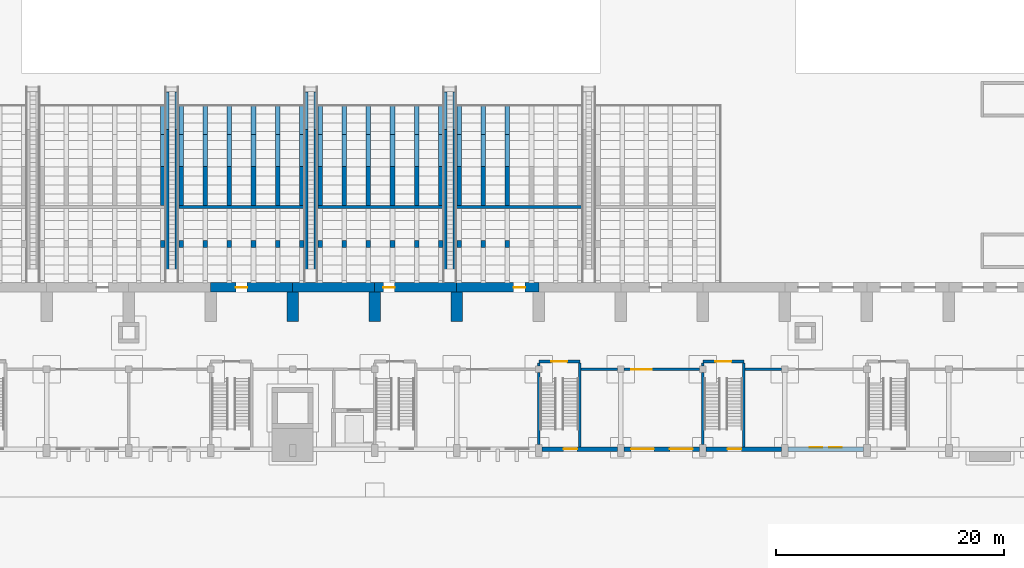
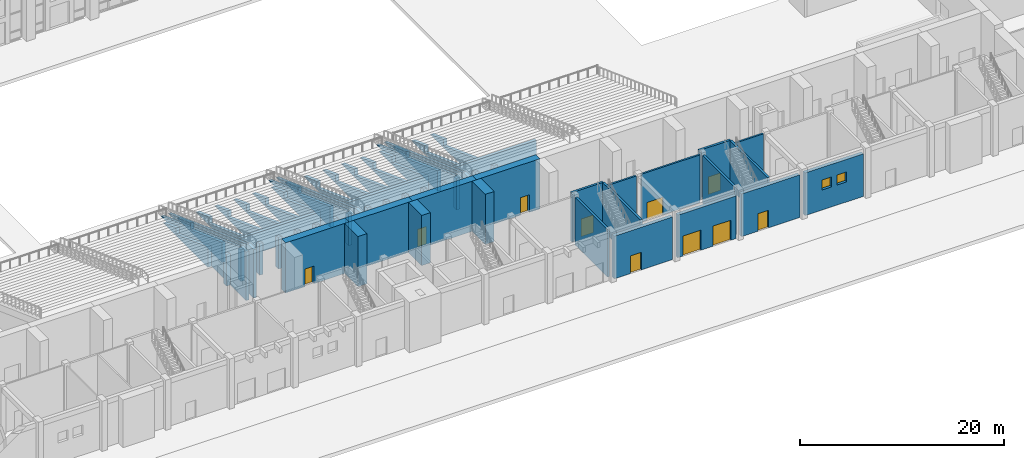
# One storey, part 43 of 70: 63 walls, 10 doors, 2 windows, 12 openings.
"""IFC4 building model written with IfcOpenShell, lengths in metres."""

from ifc_helpers import new_model, si_unit, direction, frame, frame_2d, origin, place, context, subcontext, project, spatial, polyline, rectangle, outline, extrude, material, layer, layer_set, type_object, element, fill, save


model = new_model("IFC4")

# Units and contexts
model_context = context("Model", 3, precision=1e-05, world=origin(), true_north=direction((0.0, 1.0)))
body_context = subcontext(model_context, "Body", "Model", "MODEL_VIEW")
ifc_project = project(units=[si_unit("LENGTHUNIT", "METRE"), si_unit("AREAUNIT", "SQUARE_METRE"), si_unit("VOLUMEUNIT", "CUBIC_METRE"), si_unit("PLANEANGLEUNIT", "RADIAN"), si_unit("MASSUNIT", "GRAM", prefix="KILO")], contexts=[model_context])

# Site, building, storey
site_placement = place(None, origin())
site = spatial("IfcSite", under=ifc_project, at=site_placement, CompositionType="ELEMENT")
building_placement = place(site_placement, origin())
building = spatial("IfcBuilding", under=site, at=building_placement, Name="Vermilion Court Aquatics Centre", CompositionType="ELEMENT")
storey_placement = place(building_placement, origin())
storey = spatial("IfcBuildingStorey", under=building, at=storey_placement, Name="L00", CompositionType="ELEMENT", Elevation=0.0)

# Walls
ifc_material_1 = material(Name="Concrete 5000 psi", Category="concrete")
ifc_layer_1 = layer(ifc_material_1, 1.0)
ifc_layer_set_1 = layer_set([ifc_layer_1], Name="Roof buttress pier")
wall_type_1 = type_object("IfcWallType", Name="Roof buttress pier", PredefinedType="SOLIDWALL", material=ifc_layer_set_1)
for number, where, z_axis, x_axis, name in (
    (1, (72.0, 11.39990234375, 0.0), (0.0, 0.0, 1.0), (0.0, 1.0, 0.0), "Buttress pier BPS09"),
    (2, (79.199951171875, 11.39990234375, 0.0), (0.0, 0.0, 1.0), (0.0, 1.0, 0.0), "Buttress pier BPS10"),
    (3, (86.39990234375, 11.39990234375, 0.0), (0.0, 0.0, 1.0), (0.0, 1.0, 0.0), "Buttress pier BPS11"),
):
    element("IfcWall", number, at=place(storey_placement, frame(where, z_axis=z_axis, x_axis=x_axis)), inside=storey, type_object=wall_type_1, Name=name, PredefinedType="SOLIDWALL", context=body_context, shape_type="SweptSolid", body=[
        extrude(rectangle(XDim=2.60009765625, YDim=1.0, at=frame_2d((1.300048828125, 0.0))), origin(), (0.0, 0.0, 1.0), 6.0),
    ])

# Wall, opening, door
ifc_material_2 = material(Name="Brick masonry", Category="masonry")
ifc_layer_2 = layer(ifc_material_2, 0.39990234375)
ifc_layer_set_2 = layer_set([ifc_layer_2], Name="South brick facade wall 400")
wall_type_2 = type_object("IfcWallType", Name="South brick facade wall 400", PredefinedType="SOLIDWALL", material=ifc_layer_set_2)
wall_1_placement = place(storey_placement, frame((93.89990234375, 0.199951171875, 0.0), z_axis=(0.0, 0.0, 1.0), x_axis=(1.0, 0.0, 0.0)))
wall_1 = element("IfcWall", 4, at=wall_1_placement, inside=storey, type_object=wall_type_2, Name="Brick facade wall", PredefinedType="SOLIDWALL", context=body_context, shape_type="SweptSolid", body=[
    extrude(rectangle(XDim=6.60009765625, YDim=0.39990234375, at=frame_2d((3.300048828125, 0.0))), origin(), (0.0, 0.0, 1.0), 5.10009765625),
])
opening_1_placement = place(wall_1_placement, frame((1.875, 0.0, 0.0)))
opening_1 = element("IfcOpeningElement", 5, at=opening_1_placement, cuts=wall_1, Name="Opening S00-011", PredefinedType="OPENING", context=body_context, shape_type="SweptSolid", body=[
    extrude(rectangle(XDim=1.199951171875, YDim=2.10009765625, at=frame_2d((0.60009765625, 1.050048828125))), frame((0.0, 0.2099609375, 0.0), z_axis=(0.0, -1.0, 0.0), x_axis=(1.0, 0.0, 0.0)), (0.0, 0.0, 1.0), 0.419921875),
])
ifc_material_3 = material(Name="Hollow metal", Category="metal")
door_type_1 = type_object("IfcDoorType", Name="South stair discharge door 1200", OperationType="SINGLE_SWING_LEFT", PredefinedType="DOOR", material=ifc_material_3)
door_1_placement = place(opening_1_placement, frame((1.199951171875, 0.0, 0.0), z_axis=(0.0, 0.0, 1.0), x_axis=(-1.0, 0.0, 0.0)))
door_1 = element("IfcDoor", 6, at=door_1_placement, inside=storey, type_object=door_type_1, Name="Exit stair S5 street door", OperationType="SINGLE_SWING_LEFT", OverallHeight=2.10009765625, OverallWidth=1.199951171875, PredefinedType="DOOR", context=body_context, shape_type="SweptSolid", body=[
    extrude(rectangle(XDim=1.199951171875, YDim=2.10009765625, at=frame_2d((0.599853515625, 1.050048828125))), frame((0.0, 0.025146484375, 0.0), z_axis=(0.0, -1.0, 0.0), x_axis=(1.0, 0.0, 0.0)), (0.0, 0.0, 1.0), 0.050048828125),
])
fill(opening_1, door_1)

# Wall, openings, doors
wall_2_placement = place(storey_placement, frame((101.10009765625, 0.199951171875, 0.0), z_axis=(0.0, 0.0, 1.0), x_axis=(1.0, 0.0, 0.0)))
wall_2 = element("IfcWall", 7, at=wall_2_placement, inside=storey, type_object=wall_type_2, Name="Brick facade wall", PredefinedType="SOLIDWALL", context=body_context, shape_type="SweptSolid", body=[
    extrude(rectangle(XDim=6.599853515625, YDim=0.39990234375, at=frame_2d((3.2998046875, 0.0))), origin(), (0.0, 0.0, 1.0), 5.10009765625),
])
opening_2_placement = place(wall_2_placement, frame((0.60009765625, 0.0, 0.0)))
opening_2 = element("IfcOpeningElement", 8, at=opening_2_placement, cuts=wall_2, Name="Opening S00-005", PredefinedType="OPENING", context=body_context, shape_type="SweptSolid", body=[
    extrude(rectangle(XDim=2.0, YDim=2.39990234375, at=frame_2d((1.0, 1.199951171875))), frame((0.0, 0.2099609375, 0.0), z_axis=(0.0, -1.0, 0.0), x_axis=(1.0, 0.0, 0.0)), (0.0, 0.0, 1.0), 0.419921875),
])
opening_3_placement = place(wall_2_placement, frame((4.0, 0.0, 0.0)))
opening_3 = element("IfcOpeningElement", 9, at=opening_3_placement, cuts=wall_2, Name="Opening S00-006", PredefinedType="OPENING", context=body_context, shape_type="SweptSolid", body=[
    extrude(rectangle(XDim=2.0, YDim=2.39990234375, at=frame_2d((1.0, 1.199951171875))), frame((0.0, 0.2099609375, 0.0), z_axis=(0.0, -1.0, 0.0), x_axis=(1.0, 0.0, 0.0)), (0.0, 0.0, 1.0), 0.419921875),
])
ifc_material_4 = material(Name="Hollow metal", Category="metal")
door_type_2 = type_object("IfcDoorType", Name="South street exit door 2000x2400", OperationType="DOUBLE_DOOR_SINGLE_SWING", PredefinedType="DOOR", material=ifc_material_4)
door_2_placement = place(opening_2_placement, frame((2.0, 0.0, 0.0), z_axis=(0.0, 0.0, 1.0), x_axis=(-1.0, 0.0, 0.0)))
door_2 = element("IfcDoor", 10, at=door_2_placement, inside=storey, type_object=door_type_2, Name="South street exit door", OperationType="DOUBLE_DOOR_SINGLE_SWING", OverallHeight=2.39990234375, OverallWidth=2.0, PredefinedType="DOOR", context=body_context, shape_type="SweptSolid", body=[
    extrude(rectangle(XDim=2.0, YDim=2.39990234375, at=frame_2d((1.0, 1.199951171875))), frame((0.0, 0.025146484375, 0.0), z_axis=(0.0, -1.0, 0.0), x_axis=(1.0, 0.0, 0.0)), (0.0, 0.0, 1.0), 0.050048828125),
])
fill(opening_2, door_2)
door_3_placement = place(opening_3_placement, frame((2.0, 0.0, 0.0), z_axis=(0.0, 0.0, 1.0), x_axis=(-1.0, 0.0, 0.0)))
door_3 = element("IfcDoor", 11, at=door_3_placement, inside=storey, type_object=door_type_2, Name="South street exit door", OperationType="DOUBLE_DOOR_SINGLE_SWING", OverallHeight=2.39990234375, OverallWidth=2.0, PredefinedType="DOOR", context=body_context, shape_type="SweptSolid", body=[
    extrude(rectangle(XDim=2.0, YDim=2.39990234375, at=frame_2d((1.0, 1.199951171875))), frame((0.0, 0.025146484375, 0.0), z_axis=(0.0, -1.0, 0.0), x_axis=(1.0, 0.0, 0.0)), (0.0, 0.0, 1.0), 0.050048828125),
])
fill(opening_3, door_3)

# Wall, opening, door
wall_3_placement = place(storey_placement, frame((108.300048828125, 0.199951171875, 0.0), z_axis=(0.0, 0.0, 1.0), x_axis=(1.0, 0.0, 0.0)))
wall_3 = element("IfcWall", 12, at=wall_3_placement, inside=storey, type_object=wall_type_2, Name="Brick facade wall", PredefinedType="SOLIDWALL", context=body_context, shape_type="SweptSolid", body=[
    extrude(rectangle(XDim=6.599853515625, YDim=0.39990234375, at=frame_2d((3.2998046875, 0.0))), origin(), (0.0, 0.0, 1.0), 5.10009765625),
])
opening_4_placement = place(wall_3_placement, frame((1.875, 0.0, 0.0)))
opening_4 = element("IfcOpeningElement", 13, at=opening_4_placement, cuts=wall_3, Name="Opening S00-012", PredefinedType="OPENING", context=body_context, shape_type="SweptSolid", body=[
    extrude(rectangle(XDim=1.199951171875, YDim=2.10009765625, at=frame_2d((0.60009765625, 1.050048828125))), frame((0.0, 0.2099609375, 0.0), z_axis=(0.0, -1.0, 0.0), x_axis=(1.0, 0.0, 0.0)), (0.0, 0.0, 1.0), 0.419921875),
])
door_4_placement = place(opening_4_placement, frame((1.199951171875, 0.0, 0.0), z_axis=(0.0, 0.0, 1.0), x_axis=(-1.0, 0.0, 0.0)))
door_4 = element("IfcDoor", 14, at=door_4_placement, inside=storey, type_object=door_type_1, Name="Exit stair S6 street door", OperationType="SINGLE_SWING_LEFT", OverallHeight=2.10009765625, OverallWidth=1.199951171875, PredefinedType="DOOR", context=body_context, shape_type="SweptSolid", body=[
    extrude(rectangle(XDim=1.199951171875, YDim=2.10009765625, at=frame_2d((0.599853515625, 1.050048828125))), frame((0.0, 0.025146484375, 0.0), z_axis=(0.0, -1.0, 0.0), x_axis=(1.0, 0.0, 0.0)), (0.0, 0.0, 1.0), 0.050048828125),
])
fill(opening_4, door_4)

# Wall, openings, windows
wall_4_placement = place(storey_placement, frame((115.5, 0.199951171875, 0.0), z_axis=(0.0, 0.0, 1.0), x_axis=(1.0, 0.0, 0.0)))
wall_4 = element("IfcWall", 15, at=wall_4_placement, inside=storey, type_object=wall_type_2, Name="Brick facade wall", PredefinedType="SOLIDWALL", context=body_context, shape_type="SweptSolid", body=[
    extrude(rectangle(XDim=6.60009765625, YDim=0.39990234375, at=frame_2d((3.300048828125, 0.0))), origin(), (0.0, 0.0, 1.0), 5.10009765625),
])
opening_5_placement = place(wall_4_placement, frame((1.89990234375, 0.0, 2.39990234375)))
opening_5 = element("IfcOpeningElement", 16, at=opening_5_placement, cuts=wall_4, Name="Opening SWN1", PredefinedType="OPENING", context=body_context, shape_type="SweptSolid", body=[
    extrude(rectangle(XDim=1.10009765625, YDim=1.199951171875, at=frame_2d((0.550048828125, 0.60009765625))), frame((0.0, 0.2099609375, 0.0), z_axis=(0.0, -1.0, 0.0), x_axis=(1.0, 0.0, 0.0)), (0.0, 0.0, 1.0), 0.419921875),
])
opening_6_placement = place(wall_4_placement, frame((3.60009765625, 0.0, 2.39990234375)))
opening_6 = element("IfcOpeningElement", 17, at=opening_6_placement, cuts=wall_4, Name="Opening SWN1", PredefinedType="OPENING", context=body_context, shape_type="SweptSolid", body=[
    extrude(rectangle(XDim=1.10009765625, YDim=1.199951171875, at=frame_2d((0.550048828125, 0.60009765625))), frame((0.0, 0.2099609375, 0.0), z_axis=(0.0, -1.0, 0.0), x_axis=(1.0, 0.0, 0.0)), (0.0, 0.0, 1.0), 0.419921875),
])
ifc_material_5 = material(Name="Aluminium 6063-T5", Category="aluminium")
window_type = type_object("IfcWindowType", Name="South window 1100x1200", PartitioningType="DOUBLE_PANEL_VERTICAL", PredefinedType="WINDOW", material=ifc_material_5)
window_1_placement = place(opening_5_placement, origin())
window_1 = element("IfcWindow", 18, at=window_1_placement, inside=storey, type_object=window_type, Name="Facade window", OverallHeight=1.199951171875, OverallWidth=1.10009765625, PartitioningType="DOUBLE_PANEL_VERTICAL", PredefinedType="WINDOW", context=body_context, shape_type="SweptSolid", body=[
    extrude(rectangle(XDim=1.10009765625, YDim=1.199951171875, at=frame_2d((0.550048828125, 0.60009765625))), frame((0.0, 0.159912109375, 0.0), z_axis=(0.0, -1.0, 0.0), x_axis=(1.0, 0.0, 0.0)), (0.0, 0.0, 1.0), 0.06005859375),
])
fill(opening_5, window_1)
window_2_placement = place(opening_6_placement, origin())
window_2 = element("IfcWindow", 19, at=window_2_placement, inside=storey, type_object=window_type, Name="Facade window", OverallHeight=1.199951171875, OverallWidth=1.10009765625, PartitioningType="DOUBLE_PANEL_VERTICAL", PredefinedType="WINDOW", context=body_context, shape_type="SweptSolid", body=[
    extrude(rectangle(XDim=1.10009765625, YDim=1.199951171875, at=frame_2d((0.550048828125, 0.60009765625))), frame((0.0, 0.159912109375, 0.0), z_axis=(0.0, -1.0, 0.0), x_axis=(1.0, 0.0, 0.0)), (0.0, 0.0, 1.0), 0.06005859375),
])
fill(opening_6, window_2)

# Wall
ifc_material_6 = material(Name="Concrete masonry ASTM C90 Type I", Category="masonry")
ifc_layer_3 = layer(ifc_material_6, 0.199951171875)
ifc_layer_set_3 = layer_set([ifc_layer_3], Name="South fire-rated partition 200")
wall_type_3 = type_object("IfcWallType", Name="South fire-rated partition 200", PredefinedType="PARTITIONING", material=ifc_layer_set_3)
wall_5_placement = place(storey_placement, frame((97.324951171875, 7.199951171875, 0.0), z_axis=(0.0, 0.0, 1.0), x_axis=(1.0, 0.0, 0.0)))
element("IfcWall", 20, at=wall_5_placement, inside=storey, type_object=wall_type_3, Name="Wall", PredefinedType="PARTITIONING", context=body_context, shape_type="SweptSolid", body=[
    extrude(rectangle(XDim=3.175048828125, YDim=0.199951171875, at=frame_2d((1.58740234375, 0.0))), origin(), (0.0, 0.0, 1.0), 5.699951171875),
])

# Wall, opening, door
wall_6_placement = place(storey_placement, frame((101.10009765625, 7.199951171875, 0.0), z_axis=(0.0, 0.0, 1.0), x_axis=(1.0, 0.0, 0.0)))
wall_6 = element("IfcWall", 21, at=wall_6_placement, inside=storey, type_object=wall_type_3, Name="Wall", PredefinedType="PARTITIONING", context=body_context, shape_type="SweptSolid", body=[
    extrude(rectangle(XDim=6.599853515625, YDim=0.199951171875, at=frame_2d((3.2998046875, 0.0))), origin(), (0.0, 0.0, 1.0), 5.699951171875),
])
opening_7_placement = place(wall_6_placement, frame((0.60009765625, 0.0, 0.0)))
opening_7 = element("IfcOpeningElement", 22, at=opening_7_placement, cuts=wall_6, Name="Opening S00-031", PredefinedType="OPENING", context=body_context, shape_type="SweptSolid", body=[
    extrude(rectangle(XDim=1.800048828125, YDim=2.10009765625, at=frame_2d((0.89990234375, 1.050048828125))), frame((0.0, 0.10986328125, 0.0), z_axis=(0.0, -1.0, 0.0), x_axis=(1.0, 0.0, 0.0)), (0.0, 0.0, 1.0), 0.219970703125),
])
ifc_material_7 = material(Name="Hollow metal", Category="metal")
door_type_3 = type_object("IfcDoorType", Name="South lobby double door 1800", OperationType="DOUBLE_DOOR_SINGLE_SWING", PredefinedType="DOOR", material=ifc_material_7)
door_5_placement = place(opening_7_placement, origin())
door_5 = element("IfcDoor", 23, at=door_5_placement, inside=storey, type_object=door_type_3, Name="Entrance Lobby East door", OperationType="DOUBLE_DOOR_SINGLE_SWING", OverallHeight=2.10009765625, OverallWidth=1.800048828125, PredefinedType="DOOR", context=body_context, shape_type="SweptSolid", body=[
    extrude(rectangle(XDim=1.800048828125, YDim=2.10009765625, at=frame_2d((0.89990234375, 1.050048828125))), frame((0.0, 0.02490234375, 0.0), z_axis=(0.0, -1.0, 0.0), x_axis=(1.0, 0.0, 0.0)), (0.0, 0.0, 1.0), 0.050048828125),
])
fill(opening_7, door_5)

# Walls
ifc_material_8 = material(Name="Concrete masonry ASTM C90 Type I", Category="masonry")
ifc_layer_4 = layer(ifc_material_8, 0.199951171875)
ifc_layer_set_4 = layer_set([ifc_layer_4], Name="South partition wall 200")
wall_type_4 = type_object("IfcWallType", Name="South partition wall 200", PredefinedType="PARTITIONING", material=ifc_layer_set_4)
wall_7_placement = place(storey_placement, frame((111.72509765625, 7.199951171875, 0.0), z_axis=(0.0, 0.0, 1.0), x_axis=(1.0, 0.0, 0.0)))
element("IfcWall", 24, at=wall_7_placement, inside=storey, type_object=wall_type_4, Name="Partition wall", PredefinedType="PARTITIONING", context=body_context, shape_type="SweptSolid", body=[
    extrude(rectangle(XDim=3.1748046875, YDim=0.199951171875, at=frame_2d((1.58740234375, 0.0))), origin(), (0.0, 0.0, 1.0), 5.699951171875),
])
ifc_material_9 = material(Name="Concrete 5000 psi", Category="concrete")
ifc_layer_5 = layer(ifc_material_9, 0.25)
ifc_layer_set_5 = layer_set([ifc_layer_5], Name="South stair wall 250")
wall_type_5 = type_object("IfcWallType", Name="South stair wall 250", PredefinedType="SOLIDWALL", material=ifc_layer_set_5)
wall_8_placement = place(storey_placement, frame((93.60009765625, 0.60009765625, 0.0), z_axis=(0.0, 0.0, 1.0), x_axis=(0.0, 1.0, 0.0)))
element("IfcWall", 25, at=wall_8_placement, inside=storey, type_object=wall_type_5, Name="Stair enclosure wall", PredefinedType="SOLIDWALL", context=body_context, shape_type="SweptSolid", body=[
    extrude(rectangle(XDim=6.2998046875, YDim=0.25, at=frame_2d((3.14990234375, 0.0))), origin(), (0.0, 0.0, 1.0), 5.699951171875),
])
wall_9_placement = place(storey_placement, frame((93.60009765625, 7.5, 0.0), z_axis=(0.0, 0.0, 1.0), x_axis=(0.0, 1.0, 0.0)))
element("IfcWall", 26, at=wall_9_placement, inside=storey, type_object=wall_type_5, Name="Stair enclosure wall", PredefinedType="SOLIDWALL", context=body_context, shape_type="SweptSolid", body=[
    extrude(rectangle(XDim=0.27490234375, YDim=0.25, at=frame_2d((0.137451171875, 0.0))), origin(), (0.0, 0.0, 1.0), 5.699951171875),
])
wall_10_placement = place(storey_placement, frame((97.199951171875, 0.39990234375, 0.0), z_axis=(0.0, 0.0, 1.0), x_axis=(0.0, 1.0, 0.0)))
element("IfcWall", 27, at=wall_10_placement, inside=storey, type_object=wall_type_5, Name="Stair enclosure wall", PredefinedType="SOLIDWALL", context=body_context, shape_type="SweptSolid", body=[
    extrude(rectangle(XDim=7.375, YDim=0.25, at=frame_2d((3.6875, 0.0))), origin(), (0.0, 0.0, 1.0), 5.699951171875),
])
wall_11_placement = place(storey_placement, frame((108.0, 0.60009765625, 0.0), z_axis=(0.0, 0.0, 1.0), x_axis=(0.0, 1.0, 0.0)))
element("IfcWall", 28, at=wall_11_placement, inside=storey, type_object=wall_type_5, Name="Stair enclosure wall", PredefinedType="SOLIDWALL", context=body_context, shape_type="SweptSolid", body=[
    extrude(rectangle(XDim=6.2998046875, YDim=0.25, at=frame_2d((3.14990234375, 0.0))), origin(), (0.0, 0.0, 1.0), 5.699951171875),
])
wall_12_placement = place(storey_placement, frame((108.0, 7.5, 0.0), z_axis=(0.0, 0.0, 1.0), x_axis=(0.0, 1.0, 0.0)))
element("IfcWall", 29, at=wall_12_placement, inside=storey, type_object=wall_type_5, Name="Stair enclosure wall", PredefinedType="SOLIDWALL", context=body_context, shape_type="SweptSolid", body=[
    extrude(rectangle(XDim=0.27490234375, YDim=0.25, at=frame_2d((0.137451171875, 0.0))), origin(), (0.0, 0.0, 1.0), 5.699951171875),
])
wall_13_placement = place(storey_placement, frame((111.60009765625, 0.39990234375, 0.0), z_axis=(0.0, 0.0, 1.0), x_axis=(0.0, 1.0, 0.0)))
element("IfcWall", 30, at=wall_13_placement, inside=storey, type_object=wall_type_5, Name="Stair enclosure wall", PredefinedType="SOLIDWALL", context=body_context, shape_type="SweptSolid", body=[
    extrude(rectangle(XDim=7.375, YDim=0.25, at=frame_2d((3.6875, 0.0))), origin(), (0.0, 0.0, 1.0), 5.699951171875),
])

# Wall, opening, door
wall_14_placement = place(storey_placement, frame((93.60009765625, 7.89990234375, 0.0), z_axis=(0.0, 0.0, 1.0), x_axis=(1.0, 0.0, 0.0)))
wall_14 = element("IfcWall", 31, at=wall_14_placement, inside=storey, type_object=wall_type_5, Name="Stair enclosure wall", PredefinedType="SOLIDWALL", context=body_context, shape_type="SweptSolid", body=[
    extrude(rectangle(XDim=3.599853515625, YDim=0.25, at=frame_2d((1.7998046875, 0.0))), origin(), (0.0, 0.0, 1.0), 5.699951171875),
])
opening_8_placement = place(wall_14_placement, frame((1.10009765625, 0.0, 0.0)))
opening_8 = element("IfcOpeningElement", 32, at=opening_8_placement, cuts=wall_14, Name="Opening S00-019", PredefinedType="OPENING", context=body_context, shape_type="SweptSolid", body=[
    extrude(rectangle(XDim=1.39990234375, YDim=2.10009765625, at=frame_2d((0.699951171875, 1.050048828125))), frame((0.0, 0.135009765625, 0.0), z_axis=(0.0, -1.0, 0.0), x_axis=(1.0, 0.0, 0.0)), (0.0, 0.0, 1.0), 0.27001953125),
])
ifc_material_10 = material(Name="Hollow metal", Category="metal")
door_type_4 = type_object("IfcDoorType", Name="South stair door 1400", OperationType="DOUBLE_DOOR_SINGLE_SWING", PredefinedType="DOOR", material=ifc_material_10)
door_6_placement = place(opening_8_placement, origin())
door_6 = element("IfcDoor", 33, at=door_6_placement, inside=storey, type_object=door_type_4, Name="Exit stair S5 door", OperationType="DOUBLE_DOOR_SINGLE_SWING", OverallHeight=2.10009765625, OverallWidth=1.39990234375, PredefinedType="DOOR", context=body_context, shape_type="SweptSolid", body=[
    extrude(rectangle(XDim=1.39990234375, YDim=2.10009765625, at=frame_2d((0.699951171875, 1.050048828125))), frame((0.0, 0.02490234375, 0.0), z_axis=(0.0, -1.0, 0.0), x_axis=(1.0, 0.0, 0.0)), (0.0, 0.0, 1.0), 0.050048828125),
])
fill(opening_8, door_6)

wall_15_placement = place(storey_placement, frame((108.0, 7.89990234375, 0.0), z_axis=(0.0, 0.0, 1.0), x_axis=(1.0, 0.0, 0.0)))
wall_15 = element("IfcWall", 34, at=wall_15_placement, inside=storey, type_object=wall_type_5, Name="Stair enclosure wall", PredefinedType="SOLIDWALL", context=body_context, shape_type="SweptSolid", body=[
    extrude(rectangle(XDim=3.60009765625, YDim=0.25, at=frame_2d((1.800048828125, 0.0))), origin(), (0.0, 0.0, 1.0), 5.699951171875),
])
opening_9_placement = place(wall_15_placement, frame((1.10009765625, 0.0, 0.0)))
opening_9 = element("IfcOpeningElement", 35, at=opening_9_placement, cuts=wall_15, Name="Opening S00-020", PredefinedType="OPENING", context=body_context, shape_type="SweptSolid", body=[
    extrude(rectangle(XDim=1.39990234375, YDim=2.10009765625, at=frame_2d((0.699951171875, 1.050048828125))), frame((0.0, 0.135009765625, 0.0), z_axis=(0.0, -1.0, 0.0), x_axis=(1.0, 0.0, 0.0)), (0.0, 0.0, 1.0), 0.27001953125),
])
door_7_placement = place(opening_9_placement, origin())
door_7 = element("IfcDoor", 36, at=door_7_placement, inside=storey, type_object=door_type_4, Name="Exit stair S6 door", OperationType="DOUBLE_DOOR_SINGLE_SWING", OverallHeight=2.10009765625, OverallWidth=1.39990234375, PredefinedType="DOOR", context=body_context, shape_type="SweptSolid", body=[
    extrude(rectangle(XDim=1.39990234375, YDim=2.10009765625, at=frame_2d((0.699951171875, 1.050048828125))), frame((0.0, 0.02490234375, 0.0), z_axis=(0.0, -1.0, 0.0), x_axis=(1.0, 0.0, 0.0)), (0.0, 0.0, 1.0), 0.050048828125),
])
fill(opening_9, door_7)

# Walls
ifc_material_11 = material(Name="Concrete 5000 psi", Category="concrete")
ifc_layer_6 = layer(ifc_material_11, 0.35009765625)
ifc_layer_set_6 = layer_set([ifc_layer_6], Name="Tribune aisle stair wall 350")
wall_type_6 = type_object("IfcWallType", Name="Tribune aisle stair wall 350", PredefinedType="SOLIDWALL", material=ifc_layer_set_6)
for number, where, z_axis, x_axis, name in (
    (37, (60.97509765625, 31.553955078125, 0.0), (0.0, 0.0, 1.0), (0.0, -1.0, 0.0), "Aisle stair wall"),
    (38, (61.824951171875, 31.553955078125, 0.0), (0.0, 0.0, 1.0), (0.0, -1.0, 0.0), "Aisle stair wall"),
    (39, (73.175048828125, 31.553955078125, 0.0), (0.0, 0.0, 1.0), (0.0, -1.0, 0.0), "Aisle stair wall"),
    (40, (74.02490234375, 31.553955078125, 0.0), (0.0, 0.0, 1.0), (0.0, -1.0, 0.0), "Aisle stair wall"),
    (41, (85.375, 31.553955078125, 0.0), (0.0, 0.0, 1.0), (0.0, -1.0, 0.0), "Aisle stair wall"),
    (42, (86.22509765625, 31.553955078125, 0.0), (0.0, 0.0, 1.0), (0.0, -1.0, 0.0), "Aisle stair wall"),
):
    element("IfcWall", number, at=place(storey_placement, frame(where, z_axis=z_axis, x_axis=x_axis)), inside=storey, type_object=wall_type_6, Name=name, PredefinedType="SOLIDWALL", context=body_context, shape_type="SweptSolid", body=[
        extrude(outline(polyline([(0.0, 0.0), (16.75390625, 0.0), (16.75390625, 5.800048828125), (15.553955078125, 5.800048828125), (15.553955078125, 5.697509765625), (0.0, 0.0), (0.0, 0.0)])), frame((0.0, 0.175048828125, 0.0), z_axis=(0.0, -1.0, 0.0), x_axis=(1.0, 0.0, 0.0)), (0.0, 0.0, 1.0), 0.35009765625),
    ])

# Wall, opening, door
ifc_material_12 = material(Name="Concrete 5000 psi", Category="concrete")
ifc_layer_7 = layer(ifc_material_12, 0.800048828125)
ifc_layer_set_7 = layer_set([ifc_layer_7], Name="Tribune back wall 800")
wall_type_7 = type_object("IfcWallType", Name="Tribune back wall 800", PredefinedType="SOLIDWALL", material=ifc_layer_set_7)
wall_16_placement = place(storey_placement, frame((64.800048828125, 14.39990234375, 0.0), z_axis=(0.0, 0.0, 1.0), x_axis=(1.0, 0.0, 0.0)))
wall_16 = element("IfcWall", 43, at=wall_16_placement, inside=storey, type_object=wall_type_7, Name="South hall wall", PredefinedType="SOLIDWALL", context=body_context, shape_type="SweptSolid", body=[
    extrude(rectangle(XDim=7.199951171875, YDim=0.800048828125, at=frame_2d((3.60009765625, 0.0))), origin(), (0.0, 0.0, 1.0), 6.0),
])
opening_10_placement = place(wall_16_placement, frame((2.199951171875, 0.0, 0.0)))
opening_10 = element("IfcOpeningElement", 44, at=opening_10_placement, cuts=wall_16, Name="Opening T00-017", PredefinedType="OPENING", context=body_context, shape_type="SweptSolid", body=[
    extrude(rectangle(XDim=1.0, YDim=2.10009765625, at=frame_2d((0.5, 1.050048828125))), frame((0.0, 0.409912109375, 0.0), z_axis=(0.0, -1.0, 0.0), x_axis=(1.0, 0.0, 0.0)), (0.0, 0.0, 1.0), 0.820068359375),
])
ifc_material_13 = material(Name="Timber door leaf", Category="wood")
door_type_5 = type_object("IfcDoorType", Name="Tribune single door 1000", OperationType="NOTDEFINED", PredefinedType="DOOR", material=ifc_material_13)
door_8_placement = place(opening_10_placement, origin())
door_8 = element("IfcDoor", 45, at=door_8_placement, inside=storey, type_object=door_type_5, Name="Officials' Room door", OperationType="SINGLE_SWING_LEFT", OverallHeight=2.10009765625, OverallWidth=1.0, PredefinedType="DOOR", context=body_context, shape_type="SweptSolid", body=[
    extrude(rectangle(XDim=1.0, YDim=2.10009765625, at=frame_2d((0.5, 1.050048828125))), frame((0.0, 0.02490234375, 0.0), z_axis=(0.0, -1.0, 0.0), x_axis=(1.0, 0.0, 0.0)), (0.0, 0.0, 1.0), 0.050048828125),
])
fill(opening_10, door_8)

# Wall
wall_17_placement = place(storey_placement, frame((72.0, 14.39990234375, 0.0), z_axis=(0.0, 0.0, 1.0), x_axis=(1.0, 0.0, 0.0)))
element("IfcWall", 46, at=wall_17_placement, inside=storey, type_object=wall_type_7, Name="South hall wall", PredefinedType="SOLIDWALL", context=body_context, shape_type="SweptSolid", body=[
    extrude(rectangle(XDim=7.199951171875, YDim=0.800048828125, at=frame_2d((3.60009765625, 0.0))), origin(), (0.0, 0.0, 1.0), 6.0),
])

# Wall, opening, door
wall_18_placement = place(storey_placement, frame((79.199951171875, 14.39990234375, 0.0), z_axis=(0.0, 0.0, 1.0), x_axis=(1.0, 0.0, 0.0)))
wall_18 = element("IfcWall", 47, at=wall_18_placement, inside=storey, type_object=wall_type_7, Name="South hall wall", PredefinedType="SOLIDWALL", context=body_context, shape_type="SweptSolid", body=[
    extrude(rectangle(XDim=7.199951171875, YDim=0.800048828125, at=frame_2d((3.60009765625, 0.0))), origin(), (0.0, 0.0, 1.0), 6.0),
])
opening_11_placement = place(wall_18_placement, frame((0.75, 0.0, 0.0)))
opening_11 = element("IfcOpeningElement", 48, at=opening_11_placement, cuts=wall_18, Name="Opening T00-018", PredefinedType="OPENING", context=body_context, shape_type="SweptSolid", body=[
    extrude(rectangle(XDim=1.0, YDim=2.10009765625, at=frame_2d((0.5, 1.050048828125))), frame((0.0, 0.409912109375, 0.0), z_axis=(0.0, -1.0, 0.0), x_axis=(1.0, 0.0, 0.0)), (0.0, 0.0, 1.0), 0.820068359375),
])
door_9_placement = place(opening_11_placement, origin())
door_9 = element("IfcDoor", 49, at=door_9_placement, inside=storey, type_object=door_type_5, Name="Timing and Judges' Room door", OperationType="SINGLE_SWING_RIGHT", OverallHeight=2.10009765625, OverallWidth=1.0, PredefinedType="DOOR", context=body_context, shape_type="SweptSolid", body=[
    extrude(rectangle(XDim=1.0, YDim=2.10009765625, at=frame_2d((0.5, 1.050048828125))), frame((0.0, 0.02490234375, 0.0), z_axis=(0.0, -1.0, 0.0), x_axis=(1.0, 0.0, 0.0)), (0.0, 0.0, 1.0), 0.050048828125),
])
fill(opening_11, door_9)

wall_19_placement = place(storey_placement, frame((86.39990234375, 14.39990234375, 0.0), z_axis=(0.0, 0.0, 1.0), x_axis=(1.0, 0.0, 0.0)))
wall_19 = element("IfcWall", 50, at=wall_19_placement, inside=storey, type_object=wall_type_7, Name="South hall wall", PredefinedType="SOLIDWALL", context=body_context, shape_type="SweptSolid", body=[
    extrude(rectangle(XDim=7.2001953125, YDim=0.800048828125, at=frame_2d((3.60009765625, 0.0))), origin(), (0.0, 0.0, 1.0), 6.0),
])
opening_12_placement = place(wall_19_placement, frame((5.0, 0.0, 0.0)))
opening_12 = element("IfcOpeningElement", 51, at=opening_12_placement, cuts=wall_19, Name="Opening T00-019", PredefinedType="OPENING", context=body_context, shape_type="SweptSolid", body=[
    extrude(rectangle(XDim=1.0, YDim=2.10009765625, at=frame_2d((0.5, 1.050048828125))), frame((0.0, 0.409912109375, 0.0), z_axis=(0.0, -1.0, 0.0), x_axis=(1.0, 0.0, 0.0)), (0.0, 0.0, 1.0), 0.820068359375),
])
door_10_placement = place(opening_12_placement, origin())
door_10 = element("IfcDoor", 52, at=door_10_placement, inside=storey, type_object=door_type_5, Name="Media Room door", OperationType="SINGLE_SWING_RIGHT", OverallHeight=2.10009765625, OverallWidth=1.0, PredefinedType="DOOR", context=body_context, shape_type="SweptSolid", body=[
    extrude(rectangle(XDim=1.0, YDim=2.10009765625, at=frame_2d((0.5, 1.050048828125))), frame((0.0, 0.02490234375, 0.0), z_axis=(0.0, -1.0, 0.0), x_axis=(1.0, 0.0, 0.0)), (0.0, 0.0, 1.0), 0.050048828125),
])
fill(opening_12, door_10)

# Walls
ifc_material_14 = material(Name="Concrete 5000 psi", Category="concrete")
ifc_layer_8 = layer(ifc_material_14, 0.39990234375)
ifc_layer_set_8 = layer_set([ifc_layer_8], Name="Tribune raker support pier 400x600")
wall_type_8 = type_object("IfcWallType", Name="Tribune raker support pier 400x600", PredefinedType="SOLIDWALL", material=ifc_layer_set_8)
for number, where, z_axis, x_axis, name in (
    (53, (60.60009765625, 18.5, 0.0), (0.0, 0.0, 1.0), (0.0, -1.0, 0.0), "Raker support pier"),
    (54, (62.199951171875, 18.5, 0.0), (0.0, 0.0, 1.0), (0.0, -1.0, 0.0), "Raker support pier"),
    (55, (64.320068359375, 18.5, 0.0), (0.0, 0.0, 1.0), (0.0, -1.0, 0.0), "Raker support pier"),
    (56, (66.43994140625, 18.5, 0.0), (0.0, 0.0, 1.0), (0.0, -1.0, 0.0), "Raker support pier"),
    (57, (68.56005859375, 18.5, 0.0), (0.0, 0.0, 1.0), (0.0, -1.0, 0.0), "Raker support pier"),
    (58, (70.679931640625, 18.5, 0.0), (0.0, 0.0, 1.0), (0.0, -1.0, 0.0), "Raker support pier"),
    (59, (72.800048828125, 18.5, 0.0), (0.0, 0.0, 1.0), (0.0, -1.0, 0.0), "Raker support pier"),
    (60, (74.39990234375, 18.5, 0.0), (0.0, 0.0, 1.0), (0.0, -1.0, 0.0), "Raker support pier"),
    (61, (76.52001953125, 18.5, 0.0), (0.0, 0.0, 1.0), (0.0, -1.0, 0.0), "Raker support pier"),
    (62, (78.639892578125, 18.5, 0.0), (0.0, 0.0, 1.0), (0.0, -1.0, 0.0), "Raker support pier"),
    (63, (80.760009765625, 18.5, 0.0), (0.0, 0.0, 1.0), (0.0, -1.0, 0.0), "Raker support pier"),
    (64, (82.8798828125, 18.5, 0.0), (0.0, 0.0, 1.0), (0.0, -1.0, 0.0), "Raker support pier"),
    (65, (85.0, 18.5, 0.0), (0.0, 0.0, 1.0), (0.0, -1.0, 0.0), "Raker support pier"),
    (66, (86.60009765625, 18.5, 0.0), (0.0, 0.0, 1.0), (0.0, -1.0, 0.0), "Raker support pier"),
    (67, (88.719970703125, 18.5, 0.0), (0.0, 0.0, 1.0), (0.0, -1.0, 0.0), "Raker support pier"),
    (68, (90.840087890625, 18.5, 0.0), (0.0, 0.0, 1.0), (0.0, -1.0, 0.0), "Raker support pier"),
):
    element("IfcWall", number, at=place(storey_placement, frame(where, z_axis=z_axis, x_axis=x_axis)), inside=storey, type_object=wall_type_8, Name=name, PredefinedType="SOLIDWALL", context=body_context, shape_type="SweptSolid", body=[
        extrude(outline(polyline([(0.0, 0.0), (0.60009765625, 0.0), (0.60009765625, 3.801513671875), (0.0, 3.581787109375), (0.0, 0.0)])), frame((0.0, 0.199951171875, 0.0), z_axis=(0.0, -1.0, 0.0), x_axis=(1.0, 0.0, 0.0)), (0.0, 0.0, 1.0), 0.39990234375),
    ])
ifc_material_15 = material(Name="Concrete 5000 psi", Category="concrete")
ifc_layer_9 = layer(ifc_material_15, 0.39990234375)
ifc_layer_set_9 = layer_set([ifc_layer_9], Name="Tribune tier frame wall 400")
wall_type_9 = type_object("IfcWallType", Name="Tribune tier frame wall 400", PredefinedType="SOLIDWALL", material=ifc_layer_set_9)
for number, where, z_axis, x_axis, name in (
    (69, (60.60009765625, 30.39990234375, 0.0), (0.0, 0.0, 1.0), (0.0, -1.0, 0.0), "Tier frame wall"),
    (70, (62.199951171875, 30.39990234375, 0.0), (0.0, 0.0, 1.0), (0.0, -1.0, 0.0), "Tier frame wall"),
    (71, (64.320068359375, 30.39990234375, 0.0), (0.0, 0.0, 1.0), (0.0, -1.0, 0.0), "Tier frame wall"),
    (72, (66.43994140625, 30.39990234375, 0.0), (0.0, 0.0, 1.0), (0.0, -1.0, 0.0), "Tier frame wall"),
    (73, (68.56005859375, 30.39990234375, 0.0), (0.0, 0.0, 1.0), (0.0, -1.0, 0.0), "Tier frame wall"),
    (74, (70.679931640625, 30.39990234375, 0.0), (0.0, 0.0, 1.0), (0.0, -1.0, 0.0), "Tier frame wall"),
    (75, (72.800048828125, 30.39990234375, 0.0), (0.0, 0.0, 1.0), (0.0, -1.0, 0.0), "Tier frame wall"),
    (76, (74.39990234375, 30.39990234375, 0.0), (0.0, 0.0, 1.0), (0.0, -1.0, 0.0), "Tier frame wall"),
    (77, (76.52001953125, 30.39990234375, 0.0), (0.0, 0.0, 1.0), (0.0, -1.0, 0.0), "Tier frame wall"),
    (78, (78.639892578125, 30.39990234375, 0.0), (0.0, 0.0, 1.0), (0.0, -1.0, 0.0), "Tier frame wall"),
    (79, (80.760009765625, 30.39990234375, 0.0), (0.0, 0.0, 1.0), (0.0, -1.0, 0.0), "Tier frame wall"),
    (80, (82.8798828125, 30.39990234375, 0.0), (0.0, 0.0, 1.0), (0.0, -1.0, 0.0), "Tier frame wall"),
    (81, (85.0, 30.39990234375, 0.0), (0.0, 0.0, 1.0), (0.0, -1.0, 0.0), "Tier frame wall"),
    (82, (86.60009765625, 30.39990234375, 0.0), (0.0, 0.0, 1.0), (0.0, -1.0, 0.0), "Tier frame wall"),
    (83, (88.719970703125, 30.39990234375, 0.0), (0.0, 0.0, 1.0), (0.0, -1.0, 0.0), "Tier frame wall"),
    (84, (90.840087890625, 30.39990234375, 0.0), (0.0, 0.0, 1.0), (0.0, -1.0, 0.0), "Tier frame wall"),
):
    element("IfcWall", number, at=place(storey_placement, frame(where, z_axis=z_axis, x_axis=x_axis)), inside=storey, type_object=wall_type_9, Name=name, PredefinedType="SOLIDWALL", context=body_context, shape_type="SweptSolid", body=[
        extrude(outline(polyline([(0.0, 0.0), (8.7998046875, 0.0), (8.800048828125, 2.446044921875), (2.60009765625, 0.175048828125), (2.60009765625, 0.973876953125), (0.0, 0.021484375), (0.0, 0.0)])), frame((0.0, 0.199951171875, 0.0), z_axis=(0.0, -1.0, 0.0), x_axis=(1.0, 0.0, 0.0)), (0.0, 0.0, 1.0), 0.39990234375),
    ])
ifc_material_16 = material(Name="Concrete masonry ASTM C90 Type I", Category="masonry")
ifc_layer_10 = layer(ifc_material_16, 0.300048828125)
ifc_layer_set_10 = layer_set([ifc_layer_10], Name="Tribune under-stand wall 300")
wall_type_10 = type_object("IfcWallType", Name="Tribune under-stand wall 300", PredefinedType="PARTITIONING", material=ifc_layer_set_10)
for number, where, z_axis, x_axis, name in (
    (85, (62.0, 21.449951171875, 0.0), (0.0, 0.0, 1.0), (1.0, 0.0, 0.0), "Under-stand wall"),
    (86, (74.199951171875, 21.449951171875, 0.0), (0.0, 0.0, 1.0), (1.0, 0.0, 0.0), "Under-stand wall"),
    (87, (86.39990234375, 21.449951171875, 0.0), (0.0, 0.0, 1.0), (1.0, 0.0, 0.0), "Under-stand wall"),
):
    element("IfcWall", number, at=place(storey_placement, frame(where, z_axis=z_axis, x_axis=x_axis)), inside=storey, type_object=wall_type_10, Name=name, PredefinedType="PARTITIONING", context=body_context, shape_type="SweptSolid", body=[
        extrude(rectangle(XDim=11.0, YDim=0.300048828125, at=frame_2d((5.5, 0.0))), origin(), (0.0, 0.0, 1.0), 2.449951171875),
    ])

save(model, "model.ifc")
